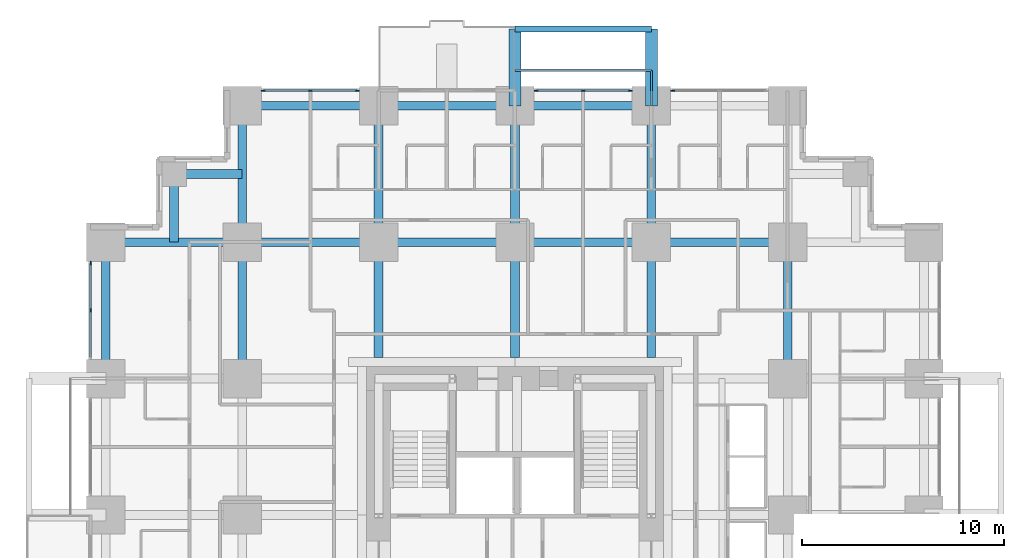
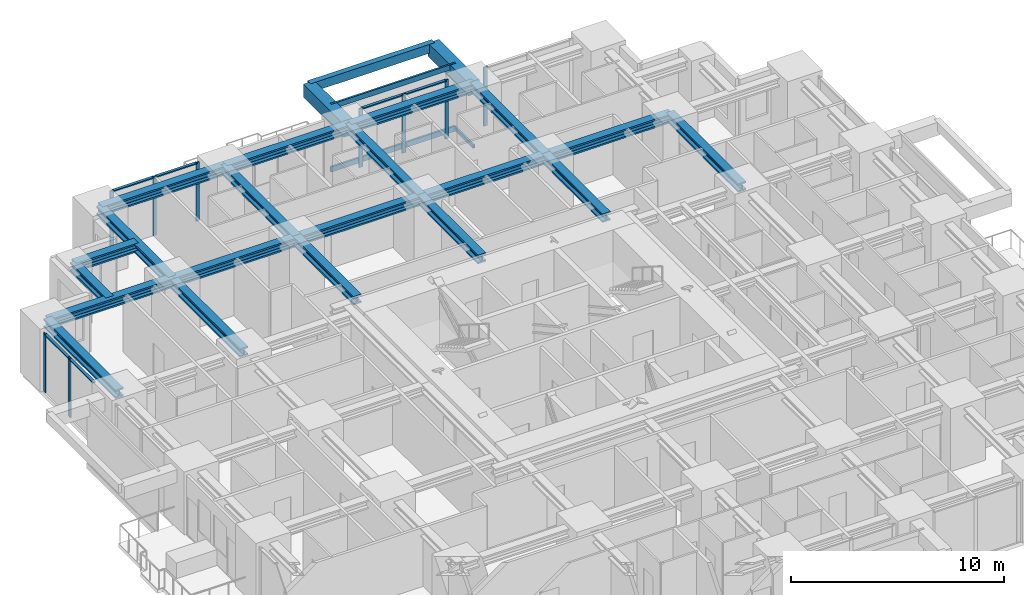
# One storey, part 5 of 15: 23 beams, 18 members, 4 elements without a shape of their own.
"""IFC4 building model written with IfcOpenShell, lengths in metres."""

from ifc_helpers import new_model, si_unit, direction, frame, origin, origin_2d, place, context, subcontext, project, spatial, rectangle, hollow_rectangle, i_section, extrude, material, material_profile, profile_set, type_object, element, aggregate, save


model = new_model("IFC4")

# Units and contexts
model_context = context("Model", 3, precision=1e-05, world=origin(), true_north=direction((0.0, 1.0)))
body_context = subcontext(model_context, "Body", "Model", "MODEL_VIEW")
ifc_project = project(units=[si_unit("LENGTHUNIT", "METRE"), si_unit("AREAUNIT", "SQUARE_METRE"), si_unit("VOLUMEUNIT", "CUBIC_METRE"), si_unit("PLANEANGLEUNIT", "RADIAN"), si_unit("MASSUNIT", "GRAM", prefix="KILO")], contexts=[model_context])

# Site, building, storey
site_placement = place(None, origin())
site = spatial("IfcSite", under=ifc_project, at=site_placement, CompositionType="ELEMENT")
building_placement = place(site_placement, origin())
building = spatial("IfcBuilding", under=site, at=building_placement, Name="Nyansa Garden Tower", CompositionType="ELEMENT")
storey_placement = place(building_placement, frame((0.0, 0.0, 32.39990234375)))
storey = spatial("IfcBuildingStorey", under=building, at=storey_placement, Name="L08", CompositionType="ELEMENT", Elevation=32.39990234375)

# Beams
ifc_material_1 = material(Name="Concrete C70/85", Category="concrete")
ifc_material_profile_1 = material_profile(ifc_material_1, rectangle(XDim=0.60009765625, YDim=0.75, at=origin_2d()), Name="RC 600x750")
ifc_profile_set_1 = profile_set([ifc_material_profile_1], Name="Concrete C70/85")
beam_type_1 = type_object("IfcBeamType", Name="Balcony cantilever beam CB1 RC 600x750", PredefinedType="BEAM", material=ifc_profile_set_1)
for number, where, z_axis, x_axis, name in (
    (1, (20.25, 40.5, 2.985107421875), (0.0, 1.0, 0.0), (-1.0, 0.0, 0.0), "Balcony cantilever beam L09"),
    (2, (27.0, 40.5, 2.985107421875), (0.0, 1.0, 0.0), (-1.0, 0.0, 0.0), "Balcony cantilever beam L09"),
):
    element("IfcBeam", number, at=place(storey_placement, frame(where, z_axis=z_axis, x_axis=x_axis)), inside=storey, type_object=beam_type_1, Name=name, PredefinedType="BEAM", context=body_context, shape_type="SweptSolid", body=[
        extrude(rectangle(XDim=0.60009765625, YDim=0.75, at=origin_2d()), origin(), (0.0, 0.0, 1.0), 3.800048828125),
    ])
ifc_material_2 = material(Name="Concrete C70/85", Category="concrete")
ifc_material_profile_2 = material_profile(ifc_material_2, rectangle(XDim=0.300048828125, YDim=0.5, at=origin_2d()), Name="RC 300x500")
ifc_profile_set_2 = profile_set([ifc_material_profile_2], Name="Concrete C70/85")
beam_type_2 = type_object("IfcBeamType", Name="Balcony edge beam BE1 RC 300x500", PredefinedType="BEAM", material=ifc_profile_set_2)
beam_1_placement = place(storey_placement, frame((20.25, 44.300048828125, 3.110107421875), z_axis=(1.0, 0.0, 0.0), x_axis=(0.0, 1.0, 0.0)))
element("IfcBeam", 3, at=beam_1_placement, inside=storey, type_object=beam_type_2, Name="Balcony edge beam L09", PredefinedType="BEAM", context=body_context, shape_type="SweptSolid", body=[
    extrude(rectangle(XDim=0.300048828125, YDim=0.5, at=origin_2d()), origin(), (0.0, 0.0, 1.0), 6.75),
])

# Curtain wall, members
ifc_material_3 = material(Name="Black anodised aluminium, dark tinted double glazing", Category="aluminium")
curtain_wall_type = type_object("IfcCurtainWallType", Name="Inner skin curtain wall ISW-A", PredefinedType="USERDEFINED", material=ifc_material_3)
curtain_wall_1_placement = place(storey_placement, origin())
curtain_wall_1 = element("IfcCurtainWall", 4, at=curtain_wall_1_placement, inside=storey, type_object=curtain_wall_type, Name="Inner skin curtain wall L08 N", ObjectType="UNITISED CURTAIN WALL", PredefinedType="USERDEFINED")
ifc_material_4 = material(Name="Black anodised aluminium", Category="aluminium")
ifc_material_profile_3 = material_profile(ifc_material_4, rectangle(XDim=0.06494140625, YDim=0.199951171875, at=origin_2d()), Name="Mullion 200x65")
ifc_profile_set_3 = profile_set([ifc_material_profile_3], Name="Black anodised aluminium")
member_type_1 = type_object("IfcMemberType", Name="Mullion ISW-A 200x65", PredefinedType="MULLION", material=ifc_profile_set_3)
member_1_placement = place(storey_placement, frame((12.449951171875, 41.25, 0.0), z_axis=(0.0, 0.0, 1.0), x_axis=(0.0, -1.0, 0.0)))
member_1 = element("IfcMember", 5, at=member_1_placement, type_object=member_type_1, Name="ISW-A mullion 1", PredefinedType="MULLION", context=body_context, shape_type="SweptSolid", body=[
    extrude(rectangle(XDim=0.06494140625, YDim=0.199951171875, at=origin_2d()), origin(), (0.0, 0.0, 1.0), 3.375),
])
member_2_placement = place(storey_placement, frame((10.125, 41.25, 0.0), z_axis=(0.0, 0.0, 1.0), x_axis=(0.0, -1.0, 0.0)))
member_2 = element("IfcMember", 6, at=member_2_placement, type_object=member_type_1, Name="ISW-A mullion 2", PredefinedType="MULLION", context=body_context, shape_type="SweptSolid", body=[
    extrude(rectangle(XDim=0.06494140625, YDim=0.199951171875, at=origin_2d()), origin(), (0.0, 0.0, 1.0), 3.375),
])
member_3_placement = place(storey_placement, frame((7.800048828125, 41.25, 0.0), z_axis=(0.0, 0.0, 1.0), x_axis=(0.0, -1.0, 0.0)))
member_3 = element("IfcMember", 7, at=member_3_placement, type_object=member_type_1, Name="ISW-A mullion 3", PredefinedType="MULLION", context=body_context, shape_type="SweptSolid", body=[
    extrude(rectangle(XDim=0.06494140625, YDim=0.199951171875, at=origin_2d()), origin(), (0.0, 0.0, 1.0), 3.375),
])

# Curtain wall, member
curtain_wall_2_placement = place(storey_placement, origin())
curtain_wall_2 = element("IfcCurtainWall", 8, at=curtain_wall_2_placement, inside=storey, type_object=curtain_wall_type, Name="Inner skin curtain wall L08 N", ObjectType="UNITISED CURTAIN WALL", PredefinedType="USERDEFINED")
member_4_placement = place(storey_placement, frame((28.050048828125, 41.25, 0.0), z_axis=(0.0, 0.0, 1.0), x_axis=(0.0, -1.0, 0.0)))
member_4 = element("IfcMember", 9, at=member_4_placement, type_object=member_type_1, Name="ISW-A mullion 3", PredefinedType="MULLION", context=body_context, shape_type="SweptSolid", body=[
    extrude(rectangle(XDim=0.06494140625, YDim=0.199951171875, at=origin_2d()), origin(), (0.0, 0.0, 1.0), 3.375),
])
aggregate(curtain_wall_2, [member_4])

# Curtain wall, members
curtain_wall_3_placement = place(storey_placement, origin())
curtain_wall_3 = element("IfcCurtainWall", 10, at=curtain_wall_3_placement, inside=storey, type_object=curtain_wall_type, Name="Inner skin curtain wall L08 N", ObjectType="UNITISED CURTAIN WALL", PredefinedType="USERDEFINED")
member_5_placement = place(storey_placement, frame((25.949951171875, 41.25, 0.0), z_axis=(0.0, 0.0, 1.0), x_axis=(0.0, -1.0, 0.0)))
member_5 = element("IfcMember", 11, at=member_5_placement, type_object=member_type_1, Name="ISW-A mullion 1", PredefinedType="MULLION", context=body_context, shape_type="SweptSolid", body=[
    extrude(rectangle(XDim=0.06494140625, YDim=0.199951171875, at=origin_2d()), origin(), (0.0, 0.0, 1.0), 3.375),
])
member_6_placement = place(storey_placement, frame((23.625, 41.25, 0.0), z_axis=(0.0, 0.0, 1.0), x_axis=(0.0, -1.0, 0.0)))
member_6 = element("IfcMember", 12, at=member_6_placement, type_object=member_type_1, Name="ISW-A mullion 2", PredefinedType="MULLION", context=body_context, shape_type="SweptSolid", body=[
    extrude(rectangle(XDim=0.06494140625, YDim=0.199951171875, at=origin_2d()), origin(), (0.0, 0.0, 1.0), 3.375),
])
member_7_placement = place(storey_placement, frame((21.300048828125, 41.25, 0.0), z_axis=(0.0, 0.0, 1.0), x_axis=(0.0, -1.0, 0.0)))
member_7 = element("IfcMember", 13, at=member_7_placement, type_object=member_type_1, Name="ISW-A mullion 3", PredefinedType="MULLION", context=body_context, shape_type="SweptSolid", body=[
    extrude(rectangle(XDim=0.06494140625, YDim=0.199951171875, at=origin_2d()), origin(), (0.0, 0.0, 1.0), 3.375),
])

curtain_wall_4_placement = place(storey_placement, origin())
curtain_wall_4 = element("IfcCurtainWall", 14, at=curtain_wall_4_placement, inside=storey, type_object=curtain_wall_type, Name="Inner skin curtain wall L08 W", ObjectType="UNITISED CURTAIN WALL", PredefinedType="USERDEFINED")
member_8_placement = place(storey_placement, frame((-0.75, 32.699951171875, 0.0), z_axis=(0.0, 0.0, 1.0), x_axis=(1.0, 0.0, 0.0)))
member_8 = element("IfcMember", 15, at=member_8_placement, type_object=member_type_1, Name="ISW-A mullion 1", PredefinedType="MULLION", context=body_context, shape_type="SweptSolid", body=[
    extrude(rectangle(XDim=0.06494140625, YDim=0.199951171875, at=origin_2d()), origin(), (0.0, 0.0, 1.0), 3.375),
])
member_9_placement = place(storey_placement, frame((-0.75, 30.375, 0.0), z_axis=(0.0, 0.0, 1.0), x_axis=(1.0, 0.0, 0.0)))
member_9 = element("IfcMember", 16, at=member_9_placement, type_object=member_type_1, Name="ISW-A mullion 2", PredefinedType="MULLION", context=body_context, shape_type="SweptSolid", body=[
    extrude(rectangle(XDim=0.06494140625, YDim=0.199951171875, at=origin_2d()), origin(), (0.0, 0.0, 1.0), 3.375),
])

# Members
ifc_material_5 = material(Name="Steel S355, black powder coated", Category="steel")
ifc_material_profile_4 = material_profile(ifc_material_5, hollow_rectangle(XDim=0.10009765625, YDim=0.199951171875, WallThickness=0.008056640625, at=origin_2d()), Name="RHS 200x100x8")
ifc_profile_set_4 = profile_set([ifc_material_profile_4], Name="Steel S355, black powder coated")
member_type_2 = type_object("IfcMemberType", Name="Outer skin bracket arm RHS 200x100x8", PredefinedType="USERDEFINED", material=ifc_profile_set_4)
member_10_placement = place(storey_placement, frame((27.0, 40.5, -0.375), z_axis=(0.0, 1.0, 0.0), x_axis=(-1.0, 0.0, 0.0)))
element("IfcMember", 17, at=member_10_placement, inside=storey, type_object=member_type_2, Name="Outer skin bracket arm", ObjectType="OUTER SKIN BRACKET", PredefinedType="USERDEFINED", context=body_context, shape_type="SweptSolid", body=[
    extrude(hollow_rectangle(XDim=0.10009765625, YDim=0.199951171875, WallThickness=0.008056640625, at=origin_2d()), origin(), (0.0, 0.0, 1.0), 1.75),
])
ifc_material_6 = material(Name="Steel S355, black powder coated", Category="steel")
ifc_material_profile_5 = material_profile(ifc_material_6, hollow_rectangle(XDim=0.10009765625, YDim=0.300048828125, WallThickness=0.010009765625, at=origin_2d()), Name="RHS 300x100x10")
ifc_profile_set_5 = profile_set([ifc_material_profile_5], Name="Steel S355, black powder coated")
member_type_3 = type_object("IfcMemberType", Name="Outer skin rail RHS 300x100x10", PredefinedType="USERDEFINED", material=ifc_profile_set_5)
for number, where, z_axis, x_axis, name in (
    (18, (20.25, 42.25, -0.375), (1.0, 0.0, 0.0), (0.0, 1.0, 0.0), "Outer skin rail L08"),
    (19, (20.25, 42.25, 3.22509765625), (1.0, 0.0, 0.0), (0.0, 1.0, 0.0), "Outer skin rail L08 head"),
):
    element("IfcMember", number, at=place(storey_placement, frame(where, z_axis=z_axis, x_axis=x_axis)), inside=storey, type_object=member_type_3, Name=name, ObjectType="OUTER SKIN RAIL", PredefinedType="USERDEFINED", context=body_context, shape_type="SweptSolid", body=[
        extrude(hollow_rectangle(XDim=0.10009765625, YDim=0.300048828125, WallThickness=0.010009765625, at=origin_2d()), origin(), (0.0, 0.0, 1.0), 6.75),
    ])

# Beams
ifc_material_7 = material(Name="Steel S355", Category="steel")
ifc_material_profile_6 = material_profile(ifc_material_7, i_section(OverallWidth=0.431884765625, OverallDepth=0.498046875, WebThickness=0.0556640625, FlangeThickness=0.0888671875, FilletRadius=0.014892578125, at=origin_2d()), Name="HD 400x744")
ifc_profile_set_6 = profile_set([ifc_material_profile_6], Name="Steel S355")
beam_type_3 = type_object("IfcBeamType", Name="Steel beam SBA1-744 HD 400x744", PredefinedType="BEAM", material=ifc_profile_set_6)
for number, where, z_axis, x_axis, name in (
    (20, (0.0, 33.75, 3.1259765625), (1.0, 0.0, 0.0), (0.0, 1.0, 0.0), "Steel beam 2/J-3/J L09"),
    (21, (6.75, 27.0, 3.1259765625), (0.0, 1.0, 0.0), (-1.0, 0.0, 0.0), "Steel beam 3/H-3/J L09"),
    (22, (6.75, 33.75, 3.1259765625), (0.0, 1.0, 0.0), (-1.0, 0.0, 0.0), "Steel beam 3/J-3/K L09"),
    (23, (6.75, 33.75, 3.1259765625), (1.0, 0.0, 0.0), (0.0, 1.0, 0.0), "Steel beam 3/J-4/J L09"),
):
    element("IfcBeam", number, at=place(storey_placement, frame(where, z_axis=z_axis, x_axis=x_axis)), inside=storey, type_object=beam_type_3, Name=name, PredefinedType="BEAM", context=body_context, shape_type="SweptSolid", body=[
        extrude(i_section(OverallWidth=0.431884765625, OverallDepth=0.498046875, WebThickness=0.0556640625, FlangeThickness=0.0888671875, FilletRadius=0.014892578125, at=origin_2d()), origin(), (0.0, 0.0, 1.0), 6.75),
    ])
beam_2_placement = place(storey_placement, frame((13.5, 28.050048828125, 3.1259765625), z_axis=(0.0, 1.0, 0.0), x_axis=(-1.0, 0.0, 0.0)))
element("IfcBeam", 24, at=beam_2_placement, inside=storey, type_object=beam_type_3, Name="Steel beam 4/28.050-4/J L09", PredefinedType="BEAM", context=body_context, shape_type="SweptSolid", body=[
    extrude(i_section(OverallWidth=0.431884765625, OverallDepth=0.498046875, WebThickness=0.0556640625, FlangeThickness=0.0888671875, FilletRadius=0.014892578125, at=origin_2d()), origin(), (0.0, 0.0, 1.0), 5.699951171875),
])
for number, where, z_axis, x_axis, name in (
    (25, (13.5, 33.75, 3.1259765625), (0.0, 1.0, 0.0), (-1.0, 0.0, 0.0), "Steel beam 4/J-4/K L09"),
    (26, (13.5, 33.75, 3.1259765625), (1.0, 0.0, 0.0), (0.0, 1.0, 0.0), "Steel beam 4/J-5/J L09"),
):
    element("IfcBeam", number, at=place(storey_placement, frame(where, z_axis=z_axis, x_axis=x_axis)), inside=storey, type_object=beam_type_3, Name=name, PredefinedType="BEAM", context=body_context, shape_type="SweptSolid", body=[
        extrude(i_section(OverallWidth=0.431884765625, OverallDepth=0.498046875, WebThickness=0.0556640625, FlangeThickness=0.0888671875, FilletRadius=0.014892578125, at=origin_2d()), origin(), (0.0, 0.0, 1.0), 6.75),
    ])
beam_3_placement = place(storey_placement, frame((20.25, 28.050048828125, 3.1259765625), z_axis=(0.0, 1.0, 0.0), x_axis=(-1.0, 0.0, 0.0)))
element("IfcBeam", 27, at=beam_3_placement, inside=storey, type_object=beam_type_3, Name="Steel beam 5/28.050-5/J L09", PredefinedType="BEAM", context=body_context, shape_type="SweptSolid", body=[
    extrude(i_section(OverallWidth=0.431884765625, OverallDepth=0.498046875, WebThickness=0.0556640625, FlangeThickness=0.0888671875, FilletRadius=0.014892578125, at=origin_2d()), origin(), (0.0, 0.0, 1.0), 5.699951171875),
])
for number, where, z_axis, x_axis, name in (
    (28, (20.25, 33.75, 3.1259765625), (0.0, 1.0, 0.0), (-1.0, 0.0, 0.0), "Steel beam 5/J-5/K L09"),
    (29, (20.25, 33.75, 3.1259765625), (1.0, 0.0, 0.0), (0.0, 1.0, 0.0), "Steel beam 5/J-6/J L09"),
):
    element("IfcBeam", number, at=place(storey_placement, frame(where, z_axis=z_axis, x_axis=x_axis)), inside=storey, type_object=beam_type_3, Name=name, PredefinedType="BEAM", context=body_context, shape_type="SweptSolid", body=[
        extrude(i_section(OverallWidth=0.431884765625, OverallDepth=0.498046875, WebThickness=0.0556640625, FlangeThickness=0.0888671875, FilletRadius=0.014892578125, at=origin_2d()), origin(), (0.0, 0.0, 1.0), 6.75),
    ])
beam_4_placement = place(storey_placement, frame((27.0, 28.050048828125, 3.1259765625), z_axis=(0.0, 1.0, 0.0), x_axis=(-1.0, 0.0, 0.0)))
element("IfcBeam", 30, at=beam_4_placement, inside=storey, type_object=beam_type_3, Name="Steel beam 6/28.050-6/J L09", PredefinedType="BEAM", context=body_context, shape_type="SweptSolid", body=[
    extrude(i_section(OverallWidth=0.431884765625, OverallDepth=0.498046875, WebThickness=0.0556640625, FlangeThickness=0.0888671875, FilletRadius=0.014892578125, at=origin_2d()), origin(), (0.0, 0.0, 1.0), 5.699951171875),
])
for number, where, z_axis, x_axis, name in (
    (31, (27.0, 33.75, 3.1259765625), (0.0, 1.0, 0.0), (-1.0, 0.0, 0.0), "Steel beam 6/J-6/K L09"),
    (32, (27.0, 33.75, 3.1259765625), (1.0, 0.0, 0.0), (0.0, 1.0, 0.0), "Steel beam 6/J-7/J L09"),
    (33, (33.75, 27.0, 3.1259765625), (0.0, 1.0, 0.0), (-1.0, 0.0, 0.0), "Steel beam 7/H-7/J L09"),
):
    element("IfcBeam", number, at=place(storey_placement, frame(where, z_axis=z_axis, x_axis=x_axis)), inside=storey, type_object=beam_type_3, Name=name, PredefinedType="BEAM", context=body_context, shape_type="SweptSolid", body=[
        extrude(i_section(OverallWidth=0.431884765625, OverallDepth=0.498046875, WebThickness=0.0556640625, FlangeThickness=0.0888671875, FilletRadius=0.014892578125, at=origin_2d()), origin(), (0.0, 0.0, 1.0), 6.75),
    ])
ifc_material_8 = material(Name="Steel S355", Category="steel")
ifc_material_profile_7 = material_profile(ifc_material_8, i_section(OverallWidth=0.431884765625, OverallDepth=0.498046875, WebThickness=0.0556640625, FlangeThickness=0.0888671875, FilletRadius=0.014892578125, at=origin_2d()), Name="HD 400x744")
ifc_profile_set_7 = profile_set([ifc_material_profile_7], Name="Steel S355")
beam_type_4 = type_object("IfcBeamType", Name="Steel beam SEBA-744 HD 400x744", PredefinedType="BEAM", material=ifc_profile_set_7)
for number, where, z_axis, x_axis, name in (
    (34, (0.0, 27.0, 3.1259765625), (0.0, 1.0, 0.0), (-1.0, 0.0, 0.0), "Steel edge beam 2/H-2/J L09"),
    (35, (6.75, 40.5, 3.1259765625), (1.0, 0.0, 0.0), (0.0, 1.0, 0.0), "Steel edge beam 3/K-4/K L09"),
    (36, (13.5, 40.5, 3.1259765625), (1.0, 0.0, 0.0), (0.0, 1.0, 0.0), "Steel edge beam 4/K-5/K L09"),
    (37, (20.25, 40.5, 3.1259765625), (1.0, 0.0, 0.0), (0.0, 1.0, 0.0), "Steel edge beam 5/K-6/K L09"),
):
    element("IfcBeam", number, at=place(storey_placement, frame(where, z_axis=z_axis, x_axis=x_axis)), inside=storey, type_object=beam_type_4, Name=name, PredefinedType="BEAM", context=body_context, shape_type="SweptSolid", body=[
        extrude(i_section(OverallWidth=0.431884765625, OverallDepth=0.498046875, WebThickness=0.0556640625, FlangeThickness=0.0888671875, FilletRadius=0.014892578125, at=origin_2d()), origin(), (0.0, 0.0, 1.0), 6.75),
    ])
ifc_material_9 = material(Name="Steel S355", Category="steel")
ifc_material_profile_8 = material_profile(ifc_material_9, i_section(OverallWidth=0.431884765625, OverallDepth=0.498046875, WebThickness=0.0556640625, FlangeThickness=0.0888671875, FilletRadius=0.014892578125, at=origin_2d()), Name="HD 400x744")
ifc_profile_set_8 = profile_set([ifc_material_profile_8], Name="Steel S355")
beam_type_5 = type_object("IfcBeamType", Name="Steel beam SSB1-744 HD 400x744", PredefinedType="BEAM", material=ifc_profile_set_8)
for number, where, z_axis, x_axis, name in (
    (38, (3.375, 37.125, 3.1259765625), (0.0, -1.0, 0.0), (1.0, 0.0, 0.0), "Steel step beam 3.375/37.125 L09"),
    (39, (3.375, 37.125, 3.1259765625), (1.0, 0.0, 0.0), (0.0, 1.0, 0.0), "Steel step beam 3.375/37.125 L09"),
):
    element("IfcBeam", number, at=place(storey_placement, frame(where, z_axis=z_axis, x_axis=x_axis)), inside=storey, type_object=beam_type_5, Name=name, PredefinedType="BEAM", context=body_context, shape_type="SweptSolid", body=[
        extrude(i_section(OverallWidth=0.431884765625, OverallDepth=0.498046875, WebThickness=0.0556640625, FlangeThickness=0.0888671875, FilletRadius=0.014892578125, at=origin_2d()), origin(), (0.0, 0.0, 1.0), 3.375),
    ])

# Member
ifc_material_10 = material(Name="Black anodised aluminium", Category="aluminium")
ifc_material_profile_9 = material_profile(ifc_material_10, rectangle(XDim=0.14990234375, YDim=0.06494140625, at=origin_2d()), Name="Transom 150x65")
ifc_profile_set_9 = profile_set([ifc_material_profile_9], Name="Black anodised aluminium")
member_type_4 = type_object("IfcMemberType", Name="Transom ISW-A 150x65", PredefinedType="USERDEFINED", material=ifc_profile_set_9)
member_11_placement = place(storey_placement, frame((12.41748046875, 41.25, 3.342529296875), z_axis=(-1.0, 0.0, 0.0), x_axis=(0.0, -1.0, 0.0)))
member_11 = element("IfcMember", 40, at=member_11_placement, type_object=member_type_4, Name="ISW-A transom 1", ObjectType="TRANSOM", PredefinedType="USERDEFINED", context=body_context, shape_type="SweptSolid", body=[
    extrude(rectangle(XDim=0.14990234375, YDim=0.06494140625, at=origin_2d()), origin(), (0.0, 0.0, 1.0), 2.260009765625),
])

member_12_placement = place(storey_placement, frame((10.092529296875, 41.25, 3.342529296875), z_axis=(-1.0, 0.0, 0.0), x_axis=(0.0, -1.0, 0.0)))
member_12 = element("IfcMember", 41, at=member_12_placement, type_object=member_type_4, Name="ISW-A transom 2", ObjectType="TRANSOM", PredefinedType="USERDEFINED", context=body_context, shape_type="SweptSolid", body=[
    extrude(rectangle(XDim=0.14990234375, YDim=0.06494140625, at=origin_2d()), origin(), (0.0, 0.0, 1.0), 2.260009765625),
])

aggregate(curtain_wall_1, [member_1, member_2, member_3, member_11, member_12])

member_13_placement = place(storey_placement, frame((25.91748046875, 41.25, 3.342529296875), z_axis=(-1.0, 0.0, 0.0), x_axis=(0.0, -1.0, 0.0)))
member_13 = element("IfcMember", 42, at=member_13_placement, type_object=member_type_4, Name="ISW-A transom 1", ObjectType="TRANSOM", PredefinedType="USERDEFINED", context=body_context, shape_type="SweptSolid", body=[
    extrude(rectangle(XDim=0.14990234375, YDim=0.06494140625, at=origin_2d()), origin(), (0.0, 0.0, 1.0), 2.260009765625),
])

member_14_placement = place(storey_placement, frame((23.592529296875, 41.25, 3.342529296875), z_axis=(-1.0, 0.0, 0.0), x_axis=(0.0, -1.0, 0.0)))
member_14 = element("IfcMember", 43, at=member_14_placement, type_object=member_type_4, Name="ISW-A transom 2", ObjectType="TRANSOM", PredefinedType="USERDEFINED", context=body_context, shape_type="SweptSolid", body=[
    extrude(rectangle(XDim=0.14990234375, YDim=0.06494140625, at=origin_2d()), origin(), (0.0, 0.0, 1.0), 2.260009765625),
])

aggregate(curtain_wall_3, [member_5, member_6, member_7, member_13, member_14])

member_15_placement = place(storey_placement, frame((-0.75, 32.66748046875, 3.342529296875), z_axis=(0.0, -1.0, 0.0), x_axis=(1.0, 0.0, 0.0)))
member_15 = element("IfcMember", 44, at=member_15_placement, type_object=member_type_4, Name="ISW-A transom 1", ObjectType="TRANSOM", PredefinedType="USERDEFINED", context=body_context, shape_type="SweptSolid", body=[
    extrude(rectangle(XDim=0.14990234375, YDim=0.06494140625, at=origin_2d()), origin(), (0.0, 0.0, 1.0), 2.260009765625),
])

member_16_placement = place(storey_placement, frame((-0.75, 30.342529296875, 3.342529296875), z_axis=(0.0, -1.0, 0.0), x_axis=(1.0, 0.0, 0.0)))
member_16 = element("IfcMember", 45, at=member_16_placement, type_object=member_type_4, Name="ISW-A transom 2", ObjectType="TRANSOM", PredefinedType="USERDEFINED", context=body_context, shape_type="SweptSolid", body=[
    extrude(rectangle(XDim=0.14990234375, YDim=0.06494140625, at=origin_2d()), origin(), (0.0, 0.0, 1.0), 2.260009765625),
])

aggregate(curtain_wall_4, [member_8, member_9, member_15, member_16])

save(model, "model.ifc")
